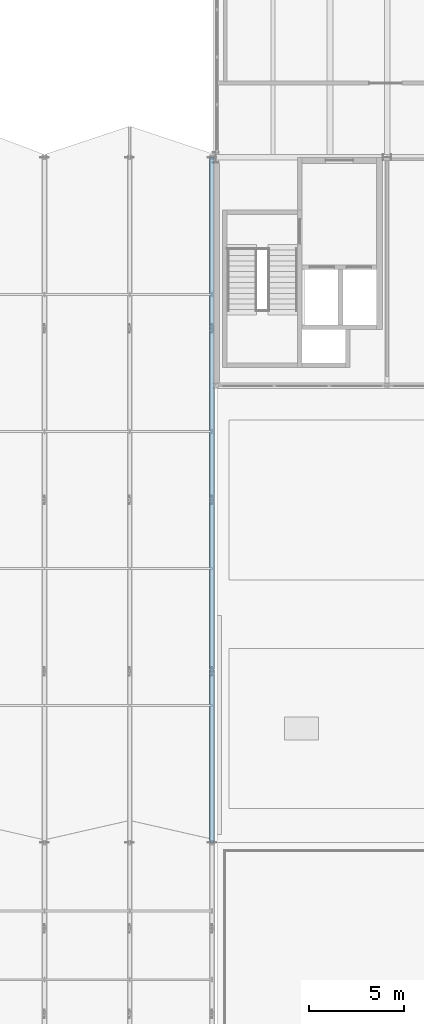
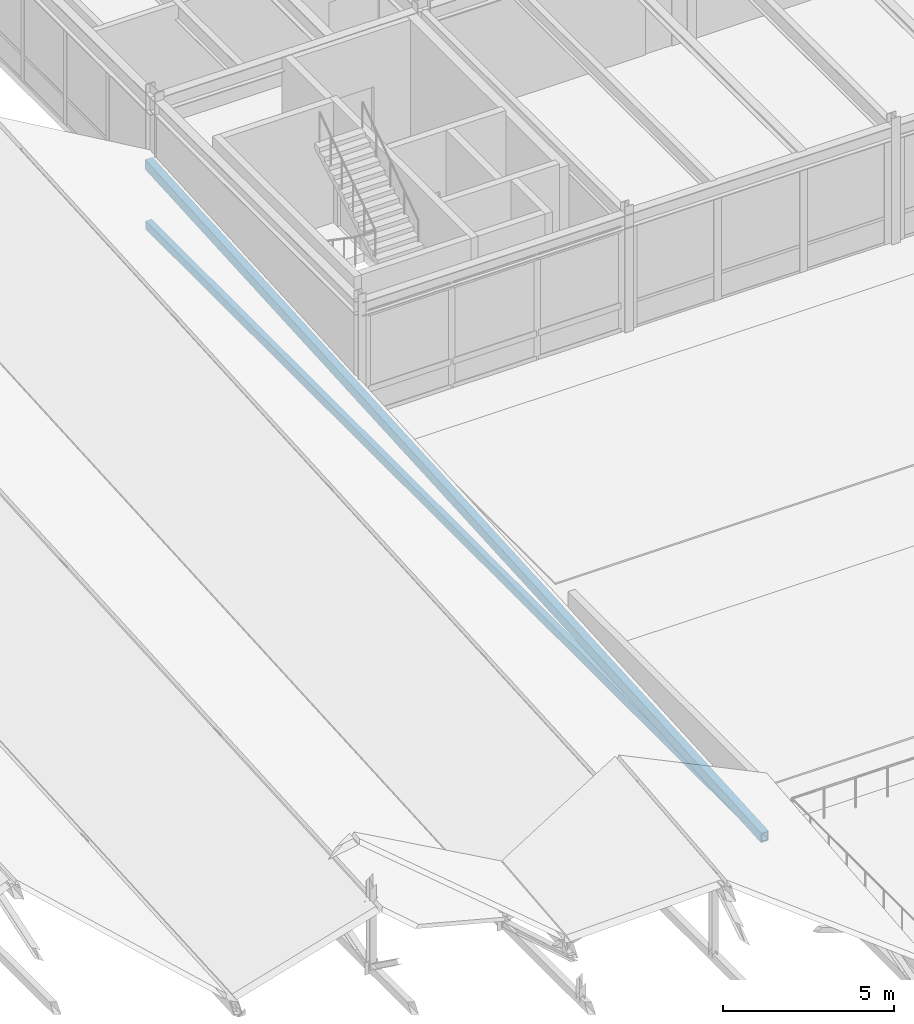
# One storey, part 58 of 142: 2 members.
"""IFC4 building model written with IfcOpenShell, lengths in metres."""

from ifc_helpers import new_model, si_unit, direction, frame, origin, origin_2d, place, context, subcontext, project, spatial, hollow_rectangle, extrude, material, material_profile, profile_set, type_object, element, save


model = new_model("IFC4")

# Units and contexts
model_context = context("Model", 3, precision=1e-05, world=origin(), true_north=direction((0.0, 1.0)))
body_context = subcontext(model_context, "Body", "Model", "MODEL_VIEW")
ifc_project = project(units=[si_unit("LENGTHUNIT", "METRE"), si_unit("AREAUNIT", "SQUARE_METRE"), si_unit("VOLUMEUNIT", "CUBIC_METRE"), si_unit("PLANEANGLEUNIT", "RADIAN"), si_unit("MASSUNIT", "GRAM", prefix="KILO")], contexts=[model_context])

# Site, building, storey
site_placement = place(None, origin())
site = spatial("IfcSite", under=ifc_project, at=site_placement, CompositionType="ELEMENT")
building_placement = place(site_placement, origin())
building = spatial("IfcBuilding", under=site, at=building_placement, Name="Montelvaro Courts of Justice", CompositionType="ELEMENT")
storey_placement = place(building_placement, frame((0.0, 0.0, 14.39990234375)))
storey = spatial("IfcBuildingStorey", under=building, at=storey_placement, Name="L03", CompositionType="ELEMENT", Elevation=14.39990234375)

# Members
ifc_material = material(Name="Steel S355", Category="steel")
ifc_material_profile_1 = material_profile(ifc_material, hollow_rectangle(XDim=0.199951171875, YDim=0.300048828125, WallThickness=0.012451171875, at=origin_2d()), Name="RHS 300x200x12.5")
ifc_profile_set_1 = profile_set([ifc_material_profile_1], Name="Steel S355")
member_type_1 = type_object("IfcMemberType", Name="Mem_RHS300_Chord", PredefinedType="CHORD", material=ifc_profile_set_1)
member_1_placement = place(storey_placement, frame((98.800048828125, 42.0, -0.2998046875), z_axis=(0.0, 1.0, 0.0), x_axis=(-1.0, 0.0, 0.0)))
element("IfcMember", 1, at=member_1_placement, inside=storey, type_object=member_type_1, Name="Roof Truss ROOF-PASSAGE-VTR06 Bottom Chord", PredefinedType="CHORD", context=body_context, shape_type="SweptSolid", body=[
    extrude(hollow_rectangle(XDim=0.199951171875, YDim=0.300048828125, WallThickness=0.012451171875, at=origin_2d()), origin(), (0.0, 0.0, 1.0), 36.0),
])
ifc_material_profile_2 = material_profile(ifc_material, hollow_rectangle(XDim=0.25, YDim=0.35009765625, WallThickness=0.012451171875, at=origin_2d()), Name="RHS 350x250x12.5")
ifc_profile_set_2 = profile_set([ifc_material_profile_2], Name="Steel S355")
member_type_2 = type_object("IfcMemberType", Name="Mem_RHS350_Chord", PredefinedType="CHORD", material=ifc_profile_set_2)
member_2_placement = place(storey_placement, frame((98.800048828125, 42.0, -0.31982421875), z_axis=(0.0, 0.998138012374, 0.060995969167), x_axis=(-1.0, 0.0, 0.0)))
element("IfcMember", 2, at=member_2_placement, inside=storey, type_object=member_type_2, Name="Roof Truss ROOF-PASSAGE-VTR06 Top Chord", PredefinedType="CHORD", context=body_context, shape_type="SweptSolid", body=[
    extrude(hollow_rectangle(XDim=0.25, YDim=0.35009765625, WallThickness=0.012451171875, at=origin_2d()), origin(), (0.0, 0.0, 1.0), 36.067138671875),
])

save(model, "model.ifc")
